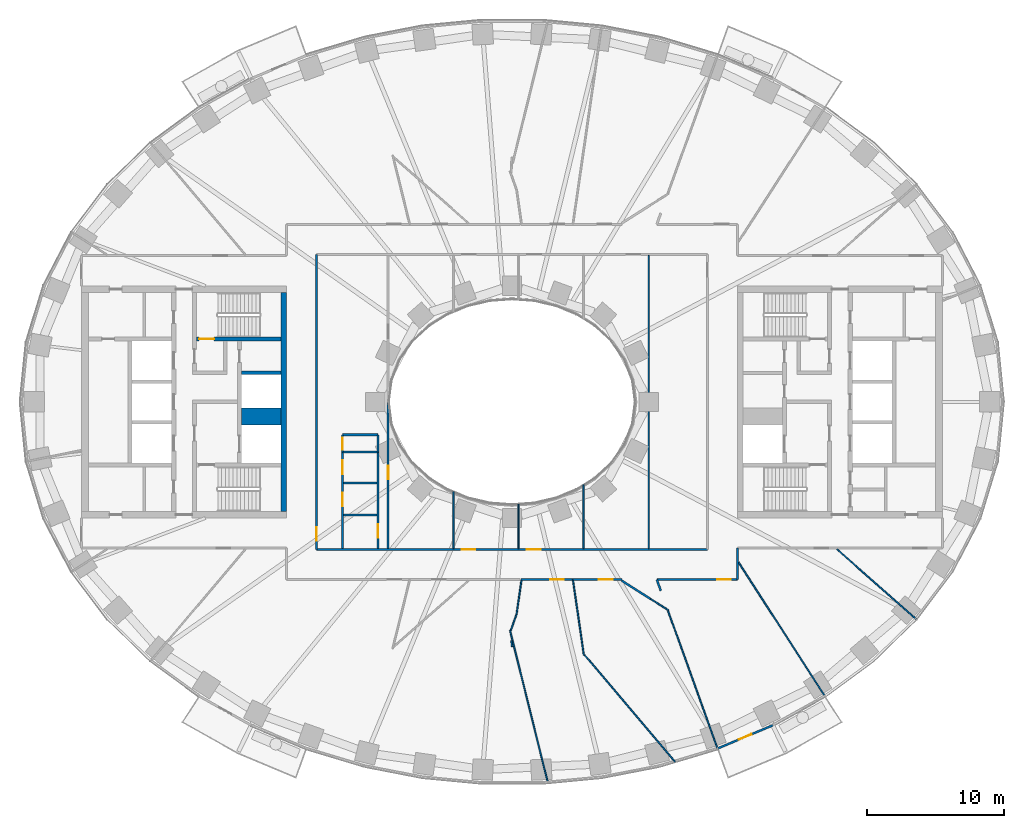
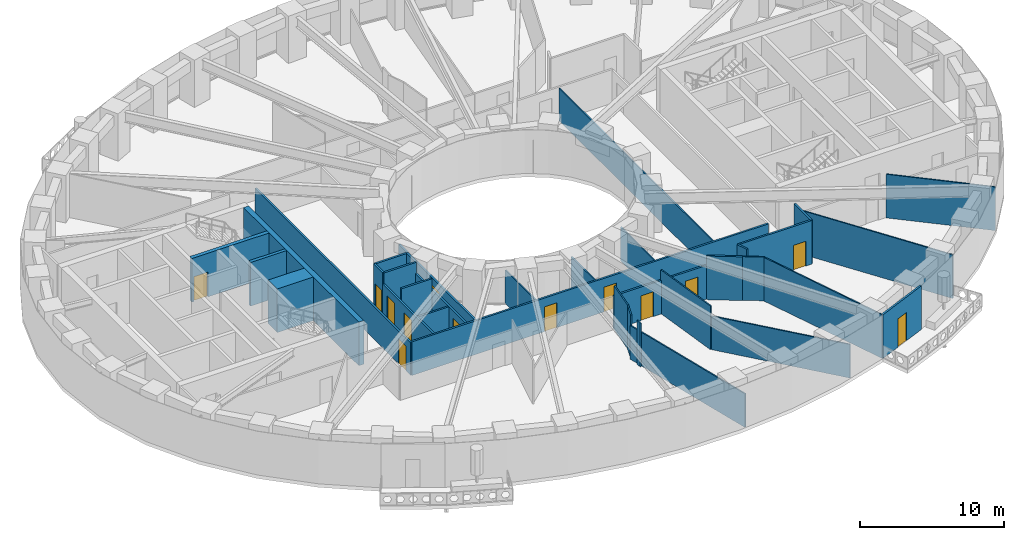
# One storey, part 4 of 15: 36 walls, 13 doors, 13 openings.
"""IFC4 building model written with IfcOpenShell, lengths in metres."""

from ifc_helpers import new_model, si_unit, direction, frame, frame_2d, origin, place, context, subcontext, project, spatial, rectangle, extrude, material, layer, layer_set, type_object, element, fill, save


model = new_model("IFC4")

# Units and contexts
model_context = context("Model", 3, precision=1e-05, world=origin(), true_north=direction((0.0, 1.0)))
body_context = subcontext(model_context, "Body", "Model", "MODEL_VIEW")
ifc_project = project(units=[si_unit("LENGTHUNIT", "METRE"), si_unit("AREAUNIT", "SQUARE_METRE"), si_unit("VOLUMEUNIT", "CUBIC_METRE"), si_unit("PLANEANGLEUNIT", "RADIAN"), si_unit("MASSUNIT", "GRAM", prefix="KILO")], contexts=[model_context])

# Site, building, storey
site_placement = place(None, origin())
site = spatial("IfcSite", under=ifc_project, at=site_placement, CompositionType="ELEMENT")
building_placement = place(site_placement, origin())
building = spatial("IfcBuilding", under=site, at=building_placement, Name="Noorbagh Ring Tower", CompositionType="ELEMENT")
storey_placement = place(building_placement, frame((0.0, 0.0, 38.5)))
storey = spatial("IfcBuildingStorey", under=building, at=storey_placement, Name="L07", CompositionType="ELEMENT", Elevation=38.5)

# Wall, opening, door
ifc_material_1 = material(Name="Gypsum board on steel studs", Category="steel")
ifc_layer_1 = layer(ifc_material_1, 0.14990234375)
ifc_layer_set_1 = layer_set([ifc_layer_1], Name="Gypsum board on steel studs")
wall_type_1 = type_object("IfcWallType", Name="COMPARTMENT PARTITION 150 EI 60", PredefinedType="PARTITIONING", material=ifc_layer_set_1)
wall_1_placement = place(storey_placement, frame((-12.39990234375, -3.659912109375, 0.0), z_axis=(0.0, 0.0, 1.0), x_axis=(0.0, 1.0, 0.0)))
wall_1 = element("IfcWall", 1, at=wall_1_placement, inside=storey, type_object=wall_type_1, Name="L07/wall/P20", PredefinedType="PARTITIONING", context=body_context, shape_type="SweptSolid", body=[
    extrude(rectangle(XDim=1.260009765625, YDim=0.14990234375, at=frame_2d((0.6298828125, 0.0))), origin(), (0.0, 0.0, 1.0), 3.699951171875),
])
opening_1_placement = place(wall_1_placement, frame((0.14990234375, 0.0, 0.0)))
opening_1 = element("IfcOpeningElement", 2, at=opening_1_placement, cuts=wall_1, Name="Opening D4", PredefinedType="OPENING", context=body_context, shape_type="SweptSolid", body=[
    extrude(rectangle(XDim=0.89990234375, YDim=2.10009765625, at=frame_2d((0.449951171875, 1.050048828125))), frame((0.0, 0.0849609375, 0.0), z_axis=(0.0, -1.0, 0.0), x_axis=(1.0, 0.0, 0.0)), (0.0, 0.0, 1.0), 0.169921875),
])
ifc_material_2 = material(Name="Timber, painted", Category="wood")
door_type_1 = type_object("IfcDoorType", Name="DOOR 900 X 2100 FD60", OperationType="SINGLE_SWING_LEFT", PredefinedType="DOOR", material=ifc_material_2)
door_1_placement = place(opening_1_placement, origin())
door_1 = element("IfcDoor", 3, at=door_1_placement, inside=storey, type_object=door_type_1, Name="L07-D05", OperationType="SINGLE_SWING_LEFT", OverallHeight=2.10009765625, OverallWidth=0.89990234375, PredefinedType="DOOR", context=body_context, shape_type="SweptSolid", body=[
    extrude(rectangle(XDim=0.89990234375, YDim=2.10009765625, at=frame_2d((0.449951171875, 1.050048828125))), frame((0.0, 0.02490234375, 0.0), z_axis=(0.0, -1.0, 0.0), x_axis=(1.0, 0.0, 0.0)), (0.0, 0.0, 1.0), 0.050048828125),
])
fill(opening_1, door_1)

# Walls
wall_2_placement = place(storey_placement, frame((-12.39990234375, -3.659912109375, 0.0), z_axis=(0.0, 0.0, 1.0), x_axis=(1.0, 0.0, 0.0)))
element("IfcWall", 4, at=wall_2_placement, inside=storey, type_object=wall_type_1, Name="L07/wall/P21", PredefinedType="PARTITIONING", context=body_context, shape_type="SweptSolid", body=[
    extrude(rectangle(XDim=2.599853515625, YDim=0.14990234375, at=frame_2d((1.2998046875, 0.0))), origin(), (0.0, 0.0, 1.0), 3.699951171875),
])
wall_3_placement = place(storey_placement, frame((-12.39990234375, -2.39990234375, 0.0), z_axis=(0.0, 0.0, 1.0), x_axis=(1.0, 0.0, 0.0)))
element("IfcWall", 5, at=wall_3_placement, inside=storey, type_object=wall_type_1, Name="L07/wall/P22", PredefinedType="PARTITIONING", context=body_context, shape_type="SweptSolid", body=[
    extrude(rectangle(XDim=2.595947265625, YDim=0.14990234375, at=frame_2d((1.2978515625, 0.0))), origin(), (0.0, 0.0, 1.0), 3.699951171875),
])
wall_4_placement = place(storey_placement, frame((-9.800048828125, -3.659912109375, 0.0), z_axis=(0.0, 0.0, 1.0), x_axis=(0.0, 1.0, 0.0)))
element("IfcWall", 6, at=wall_4_placement, inside=storey, type_object=wall_type_1, Name="L07/wall/P24", PredefinedType="PARTITIONING", context=body_context, shape_type="SweptSolid", body=[
    extrude(rectangle(XDim=1.255859375, YDim=0.14990234375, at=frame_2d((0.6279296875, 0.0))), origin(), (0.0, 0.0, 1.0), 3.699951171875),
])
ifc_material_3 = material(Name="Concrete C70/85", Category="concrete")
ifc_layer_2 = layer(ifc_material_3, 1.25)
ifc_layer_set_2 = layer_set([ifc_layer_2], Name="Concrete C70/85")
wall_type_2 = type_object("IfcWallType", Name="CORE-WALL-1250-C70-85-EI120", PredefinedType="SHEAR", material=ifc_layer_set_2)
wall_5_placement = place(storey_placement, frame((-16.89990234375, -1.074951171875, 0.0), z_axis=(0.0, 0.0, 1.0), x_axis=(-1.0, 0.0, 0.0)))
element("IfcWall", 7, at=wall_5_placement, inside=storey, type_object=wall_type_2, Name="Core wall W", PredefinedType="SHEAR", context=body_context, shape_type="SweptSolid", body=[
    extrude(rectangle(XDim=2.900146484375, YDim=1.25, at=frame_2d((1.4501953125, 0.0))), origin(), (0.0, 0.0, 1.0), 3.699951171875),
])
ifc_material_4 = material(Name="Concrete C70/85", Category="concrete")
ifc_layer_3 = layer(ifc_material_4, 0.25)
ifc_layer_set_3 = layer_set([ifc_layer_3], Name="Concrete C70/85")
wall_type_3 = type_object("IfcWallType", Name="CORE-WALL-250-C70-85-EI120", PredefinedType="SHEAR", material=ifc_layer_set_3)
wall_6_placement = place(storey_placement, frame((-16.89990234375, 2.125, 0.0), z_axis=(0.0, 0.0, 1.0), x_axis=(-1.0, 0.0, 0.0)))
element("IfcWall", 8, at=wall_6_placement, inside=storey, type_object=wall_type_3, Name="Core wall W", PredefinedType="SHEAR", context=body_context, shape_type="SweptSolid", body=[
    extrude(rectangle(XDim=2.900146484375, YDim=0.25, at=frame_2d((1.4501953125, 0.0))), origin(), (0.0, 0.0, 1.0), 3.699951171875),
])

# Wall, opening, door
ifc_material_5 = material(Name="Concrete C70/85", Category="concrete")
ifc_layer_4 = layer(ifc_material_5, 0.300048828125)
ifc_layer_set_4 = layer_set([ifc_layer_4], Name="Concrete C70/85")
wall_type_4 = type_object("IfcWallType", Name="CORE-WALL-300-C70-85-EI240", PredefinedType="SHEAR", material=ifc_layer_set_4)
wall_7_placement = place(storey_placement, frame((-16.89990234375, 4.60009765625, 0.0), z_axis=(0.0, 0.0, 1.0), x_axis=(-1.0, 0.0, 0.0)))
wall_7 = element("IfcWall", 9, at=wall_7_placement, inside=storey, type_object=wall_type_4, Name="Core wall W", PredefinedType="SHEAR", context=body_context, shape_type="SweptSolid", body=[
    extrude(rectangle(XDim=6.18017578125, YDim=0.300048828125, at=frame_2d((3.090087890625, 0.0))), origin(), (0.0, 0.0, 1.0), 3.699951171875),
])
opening_2_placement = place(wall_7_placement, frame((4.89990234375, 0.0, 0.0)))
opening_2 = element("IfcOpeningElement", 10, at=opening_2_placement, cuts=wall_7, Name="Opening L07-CW05", PredefinedType="OPENING", context=body_context, shape_type="SweptSolid", body=[
    extrude(rectangle(XDim=1.10009765625, YDim=2.10009765625, at=frame_2d((0.550048828125, 1.050048828125))), frame((0.0, 0.16015625, 0.0), z_axis=(0.0, -1.0, 0.0), x_axis=(1.0, 0.0, 0.0)), (0.0, 0.0, 1.0), 0.320068359375),
])
ifc_material_6 = material(Name="Steel door leaf", Category="steel")
door_type_2 = type_object("IfcDoorType", Name="CORE-DOOR-DSTAIR", OperationType="SINGLE_SWING_LEFT", PredefinedType="DOOR", material=ifc_material_6)
door_2_placement = place(opening_2_placement, origin())
door_2 = element("IfcDoor", 11, at=door_2_placement, inside=storey, type_object=door_type_2, Name="Stair door ST1 L07-CW05", OperationType="SINGLE_SWING_RIGHT", OverallHeight=2.10009765625, OverallWidth=1.10009765625, PredefinedType="DOOR", context=body_context, shape_type="SweptSolid", body=[
    extrude(rectangle(XDim=1.10009765625, YDim=2.10009765625, at=frame_2d((0.550048828125, 1.050048828125))), frame((0.0, 0.02490234375, 0.0), z_axis=(0.0, -1.0, 0.0), x_axis=(1.0, 0.0, 0.0)), (0.0, 0.0, 1.0), 0.050048828125),
])
fill(opening_2, door_2)

# Wall
ifc_material_7 = material(Name="Concrete C70/85", Category="concrete")
ifc_layer_5 = layer(ifc_material_7, 0.39990234375)
ifc_layer_set_5 = layer_set([ifc_layer_5], Name="Concrete C70/85")
wall_type_5 = type_object("IfcWallType", Name="CORE-WALL-400-C70-85-EI240", PredefinedType="SHEAR", material=ifc_layer_set_5)
wall_8_placement = place(storey_placement, frame((-16.699951171875, -8.0, 0.0), z_axis=(0.0, 0.0, 1.0), x_axis=(0.0, 1.0, 0.0)))
element("IfcWall", 12, at=wall_8_placement, inside=storey, type_object=wall_type_5, Name="Core wall W", PredefinedType="SHEAR", context=body_context, shape_type="SweptSolid", body=[
    extrude(rectangle(XDim=16.0, YDim=0.39990234375, at=frame_2d((8.0, 0.0))), origin(), (0.0, 0.0, 1.0), 3.699951171875),
])

# Wall, opening, door
ifc_material_8 = material(Name="Gypsum board on steel studs", Category="steel")
ifc_layer_6 = layer(ifc_material_8, 0.14990234375)
ifc_layer_set_6 = layer_set([ifc_layer_6], Name="Gypsum board on steel studs")
wall_type_6 = type_object("IfcWallType", Name="CORRIDOR PARTITION 150 EI 30", PredefinedType="PARTITIONING", material=ifc_layer_set_6)
wall_9_placement = place(storey_placement, frame((-14.300048828125, -10.800048828125, 0.0), z_axis=(0.0, 0.0, 1.0), x_axis=(0.0, 1.0, 0.0)))
wall_9 = element("IfcWall", 13, at=wall_9_placement, inside=storey, type_object=wall_type_6, Name="L07/wall/P14", PredefinedType="PARTITIONING", context=body_context, shape_type="SweptSolid", body=[
    extrude(rectangle(XDim=21.60009765625, YDim=0.14990234375, at=frame_2d((10.800048828125, 0.0))), origin(), (0.0, 0.0, 1.0), 2.75),
])
opening_3_placement = place(wall_9_placement, frame((0.64990234375, 0.0, 0.0)))
opening_3 = element("IfcOpeningElement", 14, at=opening_3_placement, cuts=wall_9, Name="Opening D1", PredefinedType="OPENING", context=body_context, shape_type="SweptSolid", body=[
    extrude(rectangle(XDim=1.0, YDim=2.10009765625, at=frame_2d((0.5, 1.050048828125))), frame((0.0, 0.0849609375, 0.0), z_axis=(0.0, -1.0, 0.0), x_axis=(1.0, 0.0, 0.0)), (0.0, 0.0, 1.0), 0.169921875),
])
ifc_material_9 = material(Name="Timber, painted", Category="wood")
door_type_3 = type_object("IfcDoorType", Name="DOOR 1000 X 2100 FD30", OperationType="SINGLE_SWING_LEFT", PredefinedType="DOOR", material=ifc_material_9)
door_3_placement = place(opening_3_placement, origin())
door_3 = element("IfcDoor", 15, at=door_3_placement, inside=storey, type_object=door_type_3, Name="L07-D01", OperationType="SINGLE_SWING_LEFT", OverallHeight=2.10009765625, OverallWidth=1.0, PredefinedType="DOOR", context=body_context, shape_type="SweptSolid", body=[
    extrude(rectangle(XDim=1.0, YDim=2.10009765625, at=frame_2d((0.5, 1.050048828125))), frame((0.0, 0.02490234375, 0.0), z_axis=(0.0, -1.0, 0.0), x_axis=(1.0, 0.0, 0.0)), (0.0, 0.0, 1.0), 0.050048828125),
])
fill(opening_3, door_3)

# Wall, openings, doors
wall_10_placement = place(storey_placement, frame((-14.300048828125, -10.800048828125, 0.0), z_axis=(0.0, 0.0, 1.0), x_axis=(1.0, 0.0, 0.0)))
wall_10 = element("IfcWall", 16, at=wall_10_placement, inside=storey, type_object=wall_type_6, Name="L07/wall/P15", PredefinedType="PARTITIONING", context=body_context, shape_type="SweptSolid", body=[
    extrude(rectangle(XDim=28.60009765625, YDim=0.14990234375, at=frame_2d((14.300048828125, 0.0))), origin(), (0.0, 0.0, 1.0), 2.85009765625),
])
opening_4_placement = place(wall_10_placement, frame((10.626953125, 0.0, 0.0)))
opening_4 = element("IfcOpeningElement", 17, at=opening_4_placement, cuts=wall_10, Name="Opening D1", PredefinedType="OPENING", context=body_context, shape_type="SweptSolid", body=[
    extrude(rectangle(XDim=1.0, YDim=2.10009765625, at=frame_2d((0.5, 1.050048828125))), frame((0.0, 0.0849609375, 0.0), z_axis=(0.0, -1.0, 0.0), x_axis=(1.0, 0.0, 0.0)), (0.0, 0.0, 1.0), 0.169921875),
])
opening_5_placement = place(wall_10_placement, frame((15.39306640625, 0.0, 0.0)))
opening_5 = element("IfcOpeningElement", 18, at=opening_5_placement, cuts=wall_10, Name="Opening D1", PredefinedType="OPENING", context=body_context, shape_type="SweptSolid", body=[
    extrude(rectangle(XDim=1.0, YDim=2.10009765625, at=frame_2d((0.5, 1.050048828125))), frame((0.0, 0.0849609375, 0.0), z_axis=(0.0, -1.0, 0.0), x_axis=(1.0, 0.0, 0.0)), (0.0, 0.0, 1.0), 0.169921875),
])
door_4_placement = place(opening_4_placement, origin())
door_4 = element("IfcDoor", 19, at=door_4_placement, inside=storey, type_object=door_type_3, Name="L07-D26", OperationType="SINGLE_SWING_RIGHT", OverallHeight=2.10009765625, OverallWidth=1.0, PredefinedType="DOOR", context=body_context, shape_type="SweptSolid", body=[
    extrude(rectangle(XDim=1.0, YDim=2.10009765625, at=frame_2d((0.5, 1.050048828125))), frame((0.0, 0.02490234375, 0.0), z_axis=(0.0, -1.0, 0.0), x_axis=(1.0, 0.0, 0.0)), (0.0, 0.0, 1.0), 0.050048828125),
])
fill(opening_4, door_4)
door_5_placement = place(opening_5_placement, origin())
door_5 = element("IfcDoor", 20, at=door_5_placement, inside=storey, type_object=door_type_3, Name="L07-D28", OperationType="SINGLE_SWING_RIGHT", OverallHeight=2.10009765625, OverallWidth=1.0, PredefinedType="DOOR", context=body_context, shape_type="SweptSolid", body=[
    extrude(rectangle(XDim=1.0, YDim=2.10009765625, at=frame_2d((0.5, 1.050048828125))), frame((0.0, 0.02490234375, 0.0), z_axis=(0.0, -1.0, 0.0), x_axis=(1.0, 0.0, 0.0)), (0.0, 0.0, 1.0), 0.050048828125),
])
fill(opening_5, door_5)

wall_11_placement = place(storey_placement, frame((-12.39990234375, -10.72509765625, 0.0), z_axis=(0.0, 0.0, 1.0), x_axis=(0.0, 1.0, 0.0)))
wall_11 = element("IfcWall", 21, at=wall_11_placement, inside=storey, type_object=wall_type_6, Name="L07/wall/P17", PredefinedType="PARTITIONING", context=body_context, shape_type="SweptSolid", body=[
    extrude(rectangle(XDim=7.065185546875, YDim=0.14990234375, at=frame_2d((3.53271484375, 0.0))), origin(), (0.0, 0.0, 1.0), 2.75),
])
opening_6_placement = place(wall_11_placement, frame((3.094970703125, 0.0, 0.0)))
opening_6 = element("IfcOpeningElement", 22, at=opening_6_placement, cuts=wall_11, Name="Opening D3", PredefinedType="OPENING", context=body_context, shape_type="SweptSolid", body=[
    extrude(rectangle(XDim=1.0, YDim=2.10009765625, at=frame_2d((0.5, 1.050048828125))), frame((0.0, 0.0849609375, 0.0), z_axis=(0.0, -1.0, 0.0), x_axis=(1.0, 0.0, 0.0)), (0.0, 0.0, 1.0), 0.169921875),
])
opening_7_placement = place(wall_11_placement, frame((5.447021484375, 0.0, 0.0)))
opening_7 = element("IfcOpeningElement", 23, at=opening_7_placement, cuts=wall_11, Name="Opening D3", PredefinedType="OPENING", context=body_context, shape_type="SweptSolid", body=[
    extrude(rectangle(XDim=1.0, YDim=2.10009765625, at=frame_2d((0.5, 1.050048828125))), frame((0.0, 0.0849609375, 0.0), z_axis=(0.0, -1.0, 0.0), x_axis=(1.0, 0.0, 0.0)), (0.0, 0.0, 1.0), 0.169921875),
])
ifc_material_10 = material(Name="Timber, painted", Category="wood")
door_type_4 = type_object("IfcDoorType", Name="DOOR 1000 X 2100 WC", OperationType="SINGLE_SWING_LEFT", PredefinedType="DOOR", material=ifc_material_10)
door_6_placement = place(opening_6_placement, origin())
door_6 = element("IfcDoor", 24, at=door_6_placement, inside=storey, type_object=door_type_4, Name="L07-D03", OperationType="SINGLE_SWING_LEFT", OverallHeight=2.10009765625, OverallWidth=1.0, PredefinedType="DOOR", context=body_context, shape_type="SweptSolid", body=[
    extrude(rectangle(XDim=1.0, YDim=2.10009765625, at=frame_2d((0.5, 1.050048828125))), frame((0.0, 0.02490234375, 0.0), z_axis=(0.0, -1.0, 0.0), x_axis=(1.0, 0.0, 0.0)), (0.0, 0.0, 1.0), 0.050048828125),
])
fill(opening_6, door_6)
door_7_placement = place(opening_7_placement, origin())
door_7 = element("IfcDoor", 25, at=door_7_placement, inside=storey, type_object=door_type_4, Name="L07-D04", OperationType="SINGLE_SWING_RIGHT", OverallHeight=2.10009765625, OverallWidth=1.0, PredefinedType="DOOR", context=body_context, shape_type="SweptSolid", body=[
    extrude(rectangle(XDim=1.0, YDim=2.10009765625, at=frame_2d((0.5, 1.050048828125))), frame((0.0, 0.02490234375, 0.0), z_axis=(0.0, -1.0, 0.0), x_axis=(1.0, 0.0, 0.0)), (0.0, 0.0, 1.0), 0.050048828125),
])
fill(opening_7, door_7)

# Walls
wall_12_placement = place(storey_placement, frame((-12.324951171875, -8.280029296875, 0.0), z_axis=(0.0, 0.0, 1.0), x_axis=(1.0, 0.0, 0.0)))
element("IfcWall", 26, at=wall_12_placement, inside=storey, type_object=wall_type_6, Name="L07/wall/P18", PredefinedType="PARTITIONING", context=body_context, shape_type="SweptSolid", body=[
    extrude(rectangle(XDim=2.449951171875, YDim=0.14990234375, at=frame_2d((1.22509765625, 0.0))), origin(), (0.0, 0.0, 1.0), 2.75),
])
wall_13_placement = place(storey_placement, frame((-12.324951171875, -5.927978515625, 0.0), z_axis=(0.0, 0.0, 1.0), x_axis=(1.0, 0.0, 0.0)))
element("IfcWall", 27, at=wall_13_placement, inside=storey, type_object=wall_type_6, Name="L07/wall/P19", PredefinedType="PARTITIONING", context=body_context, shape_type="SweptSolid", body=[
    extrude(rectangle(XDim=2.449951171875, YDim=0.14990234375, at=frame_2d((1.22509765625, 0.0))), origin(), (0.0, 0.0, 1.0), 3.699951171875),
])

# Wall, opening, door
wall_14_placement = place(storey_placement, frame((-9.800048828125, -10.72509765625, 0.0), z_axis=(0.0, 0.0, 1.0), x_axis=(0.0, 1.0, 0.0)))
wall_14 = element("IfcWall", 28, at=wall_14_placement, inside=storey, type_object=wall_type_6, Name="L07/wall/P23", PredefinedType="PARTITIONING", context=body_context, shape_type="SweptSolid", body=[
    extrude(rectangle(XDim=7.065185546875, YDim=0.14990234375, at=frame_2d((3.53271484375, 0.0))), origin(), (0.0, 0.0, 1.0), 2.75),
])
opening_8_placement = place(wall_14_placement, frame((0.794921875, 0.0, 0.0)))
opening_8 = element("IfcOpeningElement", 29, at=opening_8_placement, cuts=wall_14, Name="Opening D3", PredefinedType="OPENING", context=body_context, shape_type="SweptSolid", body=[
    extrude(rectangle(XDim=1.0, YDim=2.10009765625, at=frame_2d((0.5, 1.050048828125))), frame((0.0, 0.0849609375, 0.0), z_axis=(0.0, -1.0, 0.0), x_axis=(1.0, 0.0, 0.0)), (0.0, 0.0, 1.0), 0.169921875),
])
door_8_placement = place(opening_8_placement, origin())
door_8 = element("IfcDoor", 30, at=door_8_placement, inside=storey, type_object=door_type_4, Name="L07-D02", OperationType="SINGLE_SWING_RIGHT", OverallHeight=2.10009765625, OverallWidth=1.0, PredefinedType="DOOR", context=body_context, shape_type="SweptSolid", body=[
    extrude(rectangle(XDim=1.0, YDim=2.10009765625, at=frame_2d((0.5, 1.050048828125))), frame((0.0, 0.02490234375, 0.0), z_axis=(0.0, -1.0, 0.0), x_axis=(1.0, 0.0, 0.0)), (0.0, 0.0, 1.0), 0.050048828125),
])
fill(opening_8, door_8)

wall_15_placement = place(storey_placement, frame((-9.056884765625, -10.72509765625, 0.0), z_axis=(0.0, 0.0, 1.0), x_axis=(0.0, 1.0, 0.0)))
wall_15 = element("IfcWall", 31, at=wall_15_placement, inside=storey, type_object=wall_type_6, Name="L07/wall/P25", PredefinedType="PARTITIONING", context=body_context, shape_type="SweptSolid", body=[
    extrude(rectangle(XDim=10.68017578125, YDim=0.14990234375, at=frame_2d((5.340087890625, 0.0))), origin(), (0.0, 0.0, 1.0), 2.75),
])
opening_9_placement = place(wall_15_placement, frame((5.074951171875, 0.0, 0.0)))
opening_9 = element("IfcOpeningElement", 32, at=opening_9_placement, cuts=wall_15, Name="Opening D1", PredefinedType="OPENING", context=body_context, shape_type="SweptSolid", body=[
    extrude(rectangle(XDim=1.0, YDim=2.10009765625, at=frame_2d((0.5, 1.050048828125))), frame((0.0, 0.0849609375, 0.0), z_axis=(0.0, -1.0, 0.0), x_axis=(1.0, 0.0, 0.0)), (0.0, 0.0, 1.0), 0.169921875),
])
door_9_placement = place(opening_9_placement, origin())
door_9 = element("IfcDoor", 33, at=door_9_placement, inside=storey, type_object=door_type_3, Name="L07-D24", OperationType="SINGLE_SWING_RIGHT", OverallHeight=2.10009765625, OverallWidth=1.0, PredefinedType="DOOR", context=body_context, shape_type="SweptSolid", body=[
    extrude(rectangle(XDim=1.0, YDim=2.10009765625, at=frame_2d((0.5, 1.050048828125))), frame((0.0, 0.02490234375, 0.0), z_axis=(0.0, -1.0, 0.0), x_axis=(1.0, 0.0, 0.0)), (0.0, 0.0, 1.0), 0.050048828125),
])
fill(opening_9, door_9)

wall_16_placement = place(storey_placement, frame((0.64306640625, -13.0, 0.0), z_axis=(0.0, 0.0, 1.0), x_axis=(1.0, 0.0, 0.0)))
wall_16 = element("IfcWall", 34, at=wall_16_placement, inside=storey, type_object=wall_type_6, Name="L07/wall/P45", PredefinedType="PARTITIONING", context=body_context, shape_type="SweptSolid", body=[
    extrude(rectangle(XDim=3.81591796875, YDim=0.14990234375, at=frame_2d((1.907958984375, 0.0))), origin(), (0.0, 0.0, 1.0), 2.85009765625),
])
opening_10_placement = place(wall_16_placement, frame((2.14306640625, 0.0, 0.0)))
opening_10 = element("IfcOpeningElement", 35, at=opening_10_placement, cuts=wall_16, Name="Opening D1", PredefinedType="OPENING", context=body_context, shape_type="SweptSolid", body=[
    extrude(rectangle(XDim=1.0, YDim=2.10009765625, at=frame_2d((0.5, 1.050048828125))), frame((0.0, 0.0849609375, 0.0), z_axis=(0.0, -1.0, 0.0), x_axis=(1.0, 0.0, 0.0)), (0.0, 0.0, 1.0), 0.169921875),
])
door_10_placement = place(opening_10_placement, origin())
door_10 = element("IfcDoor", 36, at=door_10_placement, inside=storey, type_object=door_type_3, Name="L07-D14", OperationType="SINGLE_SWING_RIGHT", OverallHeight=2.10009765625, OverallWidth=1.0, PredefinedType="DOOR", context=body_context, shape_type="SweptSolid", body=[
    extrude(rectangle(XDim=1.0, YDim=2.10009765625, at=frame_2d((0.5, 1.050048828125))), frame((0.0, 0.02490234375, 0.0), z_axis=(0.0, -1.0, 0.0), x_axis=(1.0, 0.0, 0.0)), (0.0, 0.0, 1.0), 0.050048828125),
])
fill(opening_10, door_10)

wall_17_placement = place(storey_placement, frame((4.47900390625, -13.0, 0.0), z_axis=(0.0, 0.0, 1.0), x_axis=(1.0, 0.0, 0.0)))
wall_17 = element("IfcWall", 37, at=wall_17_placement, inside=storey, type_object=wall_type_6, Name="L07/wall/P49", PredefinedType="PARTITIONING", context=body_context, shape_type="SweptSolid", body=[
    extrude(rectangle(XDim=3.568115234375, YDim=0.14990234375, at=frame_2d((1.7841796875, 0.0))), origin(), (0.0, 0.0, 1.0), 2.85009765625),
])
opening_11_placement = place(wall_17_placement, frame((1.8798828125, 0.0, 0.0)))
opening_11 = element("IfcOpeningElement", 38, at=opening_11_placement, cuts=wall_17, Name="Opening D1", PredefinedType="OPENING", context=body_context, shape_type="SweptSolid", body=[
    extrude(rectangle(XDim=1.0, YDim=2.10009765625, at=frame_2d((0.5, 1.050048828125))), frame((0.0, 0.0849609375, 0.0), z_axis=(0.0, -1.0, 0.0), x_axis=(1.0, 0.0, 0.0)), (0.0, 0.0, 1.0), 0.169921875),
])
door_11_placement = place(opening_11_placement, origin())
door_11 = element("IfcDoor", 39, at=door_11_placement, inside=storey, type_object=door_type_3, Name="L07-D16", OperationType="SINGLE_SWING_RIGHT", OverallHeight=2.10009765625, OverallWidth=1.0, PredefinedType="DOOR", context=body_context, shape_type="SweptSolid", body=[
    extrude(rectangle(XDim=1.0, YDim=2.10009765625, at=frame_2d((0.5, 1.050048828125))), frame((0.0, 0.02490234375, 0.0), z_axis=(0.0, -1.0, 0.0), x_axis=(1.0, 0.0, 0.0)), (0.0, 0.0, 1.0), 0.050048828125),
])
fill(opening_11, door_11)

# Walls
wall_18_placement = place(storey_placement, frame((8.028076171875, -13.076904296875, 0.0), z_axis=(0.0, 0.0, 1.0), x_axis=(0.844718865656, -0.53521027457, 0.0)))
element("IfcWall", 40, at=wall_18_placement, inside=storey, type_object=wall_type_6, Name="L07/wall/P54", PredefinedType="PARTITIONING", context=body_context, shape_type="SweptSolid", body=[
    extrude(rectangle(XDim=2.49658203125, YDim=0.14990234375, at=frame_2d((1.248291015625, 0.0))), origin(), (0.0, 0.0, 1.0), 3.699951171875),
])
wall_19_placement = place(storey_placement, frame((10.594970703125, -13.0, 0.0), z_axis=(0.0, 0.0, 1.0), x_axis=(0.338659506624, -0.940908995904, 0.0)))
element("IfcWall", 41, at=wall_19_placement, inside=storey, type_object=wall_type_6, Name="L07/wall/P59", PredefinedType="PARTITIONING", context=body_context, shape_type="SweptSolid", body=[
    extrude(rectangle(XDim=0.864990234375, YDim=0.14990234375, at=frame_2d((0.4326171875, 0.0))), origin(), (0.0, 0.0, 1.0), 3.699951171875),
])

# Wall, opening, door
wall_20_placement = place(storey_placement, frame((10.60693359375, -13.0, 0.0), z_axis=(0.0, 0.0, 1.0), x_axis=(1.0, 0.0, 0.0)))
wall_20 = element("IfcWall", 42, at=wall_20_placement, inside=storey, type_object=wall_type_6, Name="L07/wall/P61", PredefinedType="PARTITIONING", context=body_context, shape_type="SweptSolid", body=[
    extrude(rectangle(XDim=5.89306640625, YDim=0.14990234375, at=frame_2d((2.946533203125, 0.0))), origin(), (0.0, 0.0, 1.0), 3.699951171875),
])
opening_12_placement = place(wall_20_placement, frame((4.39990234375, 0.0, 0.0)))
opening_12 = element("IfcOpeningElement", 43, at=opening_12_placement, cuts=wall_20, Name="Opening D1", PredefinedType="OPENING", context=body_context, shape_type="SweptSolid", body=[
    extrude(rectangle(XDim=1.0, YDim=2.10009765625, at=frame_2d((0.5, 1.050048828125))), frame((0.0, 0.0849609375, 0.0), z_axis=(0.0, -1.0, 0.0), x_axis=(1.0, 0.0, 0.0)), (0.0, 0.0, 1.0), 0.169921875),
])
door_12_placement = place(opening_12_placement, origin())
door_12 = element("IfcDoor", 44, at=door_12_placement, inside=storey, type_object=door_type_3, Name="L07-D18", OperationType="SINGLE_SWING_RIGHT", OverallHeight=2.10009765625, OverallWidth=1.0, PredefinedType="DOOR", context=body_context, shape_type="SweptSolid", body=[
    extrude(rectangle(XDim=1.0, YDim=2.10009765625, at=frame_2d((0.5, 1.050048828125))), frame((0.0, 0.02490234375, 0.0), z_axis=(0.0, -1.0, 0.0), x_axis=(1.0, 0.0, 0.0)), (0.0, 0.0, 1.0), 0.050048828125),
])
fill(opening_12, door_12)

# Wall
wall_21_placement = place(storey_placement, frame((16.5, -13.0, 0.0), z_axis=(0.0, 0.0, 1.0), x_axis=(0.0, 1.0, 0.0)))
element("IfcWall", 45, at=wall_21_placement, inside=storey, type_object=wall_type_6, Name="L07/wall/P66", PredefinedType="PARTITIONING", context=body_context, shape_type="SweptSolid", body=[
    extrude(rectangle(XDim=2.300048828125, YDim=0.14990234375, at=frame_2d((1.14990234375, 0.0))), origin(), (0.0, 0.0, 1.0), 3.699951171875),
])

# Wall, opening, door
ifc_material_11 = material(Name="Insulated aluminium clad panel", Category="aluminium")
ifc_layer_7 = layer(ifc_material_11, 0.14990234375)
ifc_layer_set_7 = layer_set([ifc_layer_7], Name="Insulated aluminium clad panel")
wall_type_7 = type_object("IfcWallType", Name="ENV-WALL-DOOR", PredefinedType="STANDARD", material=ifc_layer_set_7)
wall_22_placement = place(storey_placement, frame((15.017822265625, -25.368896484375, 0.0), z_axis=(0.0, 0.0, 1.0), x_axis=(0.921816985161, 0.387625393736, 0.0)))
wall_22 = element("IfcWall", 46, at=wall_22_placement, inside=storey, type_object=wall_type_7, Name="Balcony door wall chord 39", PredefinedType="STANDARD", context=body_context, shape_type="SweptSolid", body=[
    extrude(rectangle(XDim=4.42578125, YDim=0.14990234375, at=frame_2d((2.212890625, 0.0))), origin(), (0.0, 0.0, 1.0), 3.699951171875),
])
opening_13_placement = place(wall_22_placement, frame((1.712890625, 0.0, 0.0)))
opening_13 = element("IfcOpeningElement", 47, at=opening_13_placement, cuts=wall_22, Name="Opening D-BL", PredefinedType="OPENING", context=body_context, shape_type="SweptSolid", body=[
    extrude(rectangle(XDim=1.0, YDim=2.39990234375, at=frame_2d((0.5, 1.199951171875))), frame((0.0, 0.0849609375, 0.0), z_axis=(0.0, -1.0, 0.0), x_axis=(1.0, 0.0, 0.0)), (0.0, 0.0, 1.0), 0.169921875),
])
ifc_material_12 = material(Name="Aluminium and glass", Category="aluminium")
door_type_5 = type_object("IfcDoorType", Name="ENV-DOOR-BALCONY", OperationType="SINGLE_SWING_LEFT", PredefinedType="DOOR", material=ifc_material_12)
door_13_placement = place(opening_13_placement, origin())
door_13 = element("IfcDoor", 48, at=door_13_placement, inside=storey, type_object=door_type_5, Name="Balcony door chord 39", OperationType="SINGLE_SWING_RIGHT", OverallHeight=2.39990234375, OverallWidth=1.0, PredefinedType="DOOR", context=body_context, shape_type="SweptSolid", body=[
    extrude(rectangle(XDim=1.0, YDim=2.39990234375, at=frame_2d((0.5, 1.199951171875))), frame((0.0, 0.02490234375, 0.0), z_axis=(0.0, -1.0, 0.0), x_axis=(1.0, 0.0, 0.0)), (0.0, 0.0, 1.0), 0.050048828125),
])
fill(opening_13, door_13)

# Walls
ifc_material_13 = material(Name="Gypsum board on steel studs", Category="steel")
ifc_layer_8 = layer(ifc_material_13, 0.10009765625)
ifc_layer_set_8 = layer_set([ifc_layer_8], Name="Gypsum board on steel studs")
wall_type_8 = type_object("IfcWallType", Name="PARTITION 100 GYPSUM", PredefinedType="PARTITIONING", material=ifc_layer_set_8)
wall_23_placement = place(storey_placement, frame((-4.2900390625, -10.72509765625, 0.0), z_axis=(0.0, 0.0, 1.0), x_axis=(0.0, 1.0, 0.0)))
element("IfcWall", 49, at=wall_23_placement, inside=storey, type_object=wall_type_8, Name="L07/wall/P33", PredefinedType="PARTITIONING", context=body_context, shape_type="SweptSolid", body=[
    extrude(rectangle(XDim=4.156982421875, YDim=0.10009765625, at=frame_2d((2.07861328125, 0.0))), origin(), (0.0, 0.0, 1.0), 2.85009765625),
])
wall_24_placement = place(storey_placement, frame((-0.14306640625, -16.716064453125, 0.0), z_axis=(0.0, 0.0, 1.0), x_axis=(0.24100876492, -0.970522939055, 0.0)))
element("IfcWall", 50, at=wall_24_placement, inside=storey, type_object=wall_type_8, Name="L07/wall/P35", PredefinedType="PARTITIONING", context=body_context, shape_type="SweptSolid", body=[
    extrude(rectangle(XDim=11.477294921875, YDim=0.10009765625, at=frame_2d((5.73876953125, 0.0))), origin(), (0.0, 0.0, 1.0), 2.85009765625),
])
wall_25_placement = place(storey_placement, frame((-0.091064453125, -16.717041015625, 0.0), z_axis=(0.0, 0.0, 1.0), x_axis=(0.338558024313, 0.940945516049, 0.0)))
element("IfcWall", 51, at=wall_25_placement, inside=storey, type_object=wall_type_8, Name="L07/wall/P36", PredefinedType="PARTITIONING", context=body_context, shape_type="SweptSolid", body=[
    extrude(rectangle(XDim=1.231689453125, YDim=0.10009765625, at=frame_2d((0.61572265625, 0.0))), origin(), (0.0, 0.0, 1.0), 3.699951171875),
])
wall_26_placement = place(storey_placement, frame((-0.031005859375, -17.468017578125, 0.0), z_axis=(0.0, 0.0, 1.0), x_axis=(0.045864339057, -0.99894767751, 0.0)))
element("IfcWall", 52, at=wall_26_placement, inside=storey, type_object=wall_type_8, Name="L07/wall/P39", PredefinedType="PARTITIONING", context=body_context, shape_type="SweptSolid", body=[
    extrude(rectangle(XDim=0.4365234375, YDim=0.10009765625, at=frame_2d((0.21826171875, 0.0))), origin(), (0.0, 0.0, 1.0), 3.699951171875),
])
wall_27_placement = place(storey_placement, frame((0.3330078125, -15.5390625, 0.0), z_axis=(0.0, 0.0, 1.0), x_axis=(0.143115891067, 0.989705936996, 0.0)))
element("IfcWall", 53, at=wall_27_placement, inside=storey, type_object=wall_type_8, Name="L07/wall/P41", PredefinedType="PARTITIONING", context=body_context, shape_type="SweptSolid", body=[
    extrude(rectangle(XDim=2.500732421875, YDim=0.10009765625, at=frame_2d((1.25048828125, 0.0))), origin(), (0.0, 0.0, 1.0), 3.699951171875),
])
wall_28_placement = place(storey_placement, frame((0.47705078125, -10.72509765625, 0.0), z_axis=(0.0, 0.0, 1.0), x_axis=(0.0, 1.0, 0.0)))
element("IfcWall", 54, at=wall_28_placement, inside=storey, type_object=wall_type_8, Name="L07/wall/P43", PredefinedType="PARTITIONING", context=body_context, shape_type="SweptSolid", body=[
    extrude(rectangle(XDim=3.257080078125, YDim=0.10009765625, at=frame_2d((1.62841796875, 0.0))), origin(), (0.0, 0.0, 1.0), 2.85009765625),
])
wall_29_placement = place(storey_placement, frame((4.458984375, -13.00390625, 0.0), z_axis=(0.0, 0.0, 1.0), x_axis=(0.143036391033, -0.989717429795, 0.0)))
element("IfcWall", 55, at=wall_29_placement, inside=storey, type_object=wall_type_8, Name="L07/wall/P47", PredefinedType="PARTITIONING", context=body_context, shape_type="SweptSolid", body=[
    extrude(rectangle(XDim=5.58642578125, YDim=0.10009765625, at=frame_2d((2.793212890625, 0.0))), origin(), (0.0, 0.0, 1.0), 3.699951171875),
])
wall_30_placement = place(storey_placement, frame((5.242919921875, -10.72509765625, 0.0), z_axis=(0.0, 0.0, 1.0), x_axis=(0.0, 1.0, 0.0)))
element("IfcWall", 56, at=wall_30_placement, inside=storey, type_object=wall_type_8, Name="L07/wall/P51", PredefinedType="PARTITIONING", context=body_context, shape_type="SweptSolid", body=[
    extrude(rectangle(XDim=4.666015625, YDim=0.10009765625, at=frame_2d((2.3330078125, 0.0))), origin(), (0.0, 0.0, 1.0), 2.85009765625),
])
wall_31_placement = place(storey_placement, frame((5.305908203125, -18.511962890625, 0.0), z_axis=(0.0, 0.0, 1.0), x_axis=(0.646500054355, -0.762913939917, 0.0)))
element("IfcWall", 57, at=wall_31_placement, inside=storey, type_object=wall_type_8, Name="L07/wall/P53", PredefinedType="PARTITIONING", context=body_context, shape_type="SweptSolid", body=[
    extrude(rectangle(XDim=10.238525390625, YDim=0.10009765625, at=frame_2d((5.119140625, 0.0))), origin(), (0.0, 0.0, 1.0), 2.85009765625),
])
wall_32_placement = place(storey_placement, frame((10.010009765625, -10.72509765625, 0.0), z_axis=(0.0, 0.0, 1.0), x_axis=(0.0, 1.0, 0.0)))
element("IfcWall", 58, at=wall_32_placement, inside=storey, type_object=wall_type_8, Name="L07/wall/P56", PredefinedType="PARTITIONING", context=body_context, shape_type="SweptSolid", body=[
    extrude(rectangle(XDim=21.4501953125, YDim=0.10009765625, at=frame_2d((10.72509765625, 0.0))), origin(), (0.0, 0.0, 1.0), 2.75),
])
wall_33_placement = place(storey_placement, frame((10.136962890625, -14.4130859375, 0.0), z_axis=(0.0, 0.0, 1.0), x_axis=(0.844849680057, -0.535003755228, 0.0)))
element("IfcWall", 59, at=wall_33_placement, inside=storey, type_object=wall_type_8, Name="L07/wall/P57", PredefinedType="PARTITIONING", context=body_context, shape_type="SweptSolid", body=[
    extrude(rectangle(XDim=1.5625, YDim=0.10009765625, at=frame_2d((0.78125, 0.0))), origin(), (0.0, 0.0, 1.0), 3.699951171875),
])
wall_34_placement = place(storey_placement, frame((11.416015625, -15.281982421875, 0.0), z_axis=(0.0, 0.0, 1.0), x_axis=(0.338364268616, -0.94101520802, 0.0)))
element("IfcWall", 60, at=wall_34_placement, inside=storey, type_object=wall_type_8, Name="L07/wall/P63", PredefinedType="PARTITIONING", context=body_context, shape_type="SweptSolid", body=[
    extrude(rectangle(XDim=10.734130859375, YDim=0.10009765625, at=frame_2d((5.3671875, 0.0))), origin(), (0.0, 0.0, 1.0), 3.699951171875),
])
wall_35_placement = place(storey_placement, frame((16.574951171875, -11.73291015625, 0.0), z_axis=(0.0, 0.0, 1.0), x_axis=(0.54222594427, -0.840232720953, 0.0)))
element("IfcWall", 61, at=wall_35_placement, inside=storey, type_object=wall_type_8, Name="L07/wall/P67", PredefinedType="PARTITIONING", context=body_context, shape_type="SweptSolid", body=[
    extrude(rectangle(XDim=11.67431640625, YDim=0.10009765625, at=frame_2d((5.837158203125, 0.0))), origin(), (0.0, 0.0, 1.0), 3.699951171875),
])
wall_36_placement = place(storey_placement, frame((23.784912109375, -10.778076171875, 0.0), z_axis=(0.0, 0.0, 1.0), x_axis=(0.748985701008, -0.662586160198, 0.0)))
element("IfcWall", 62, at=wall_36_placement, inside=storey, type_object=wall_type_8, Name="L07/wall/P72", PredefinedType="PARTITIONING", context=body_context, shape_type="SweptSolid", body=[
    extrude(rectangle(XDim=7.72265625, YDim=0.10009765625, at=frame_2d((3.861328125, 0.0))), origin(), (0.0, 0.0, 1.0), 3.699951171875),
])

save(model, "model.ifc")
